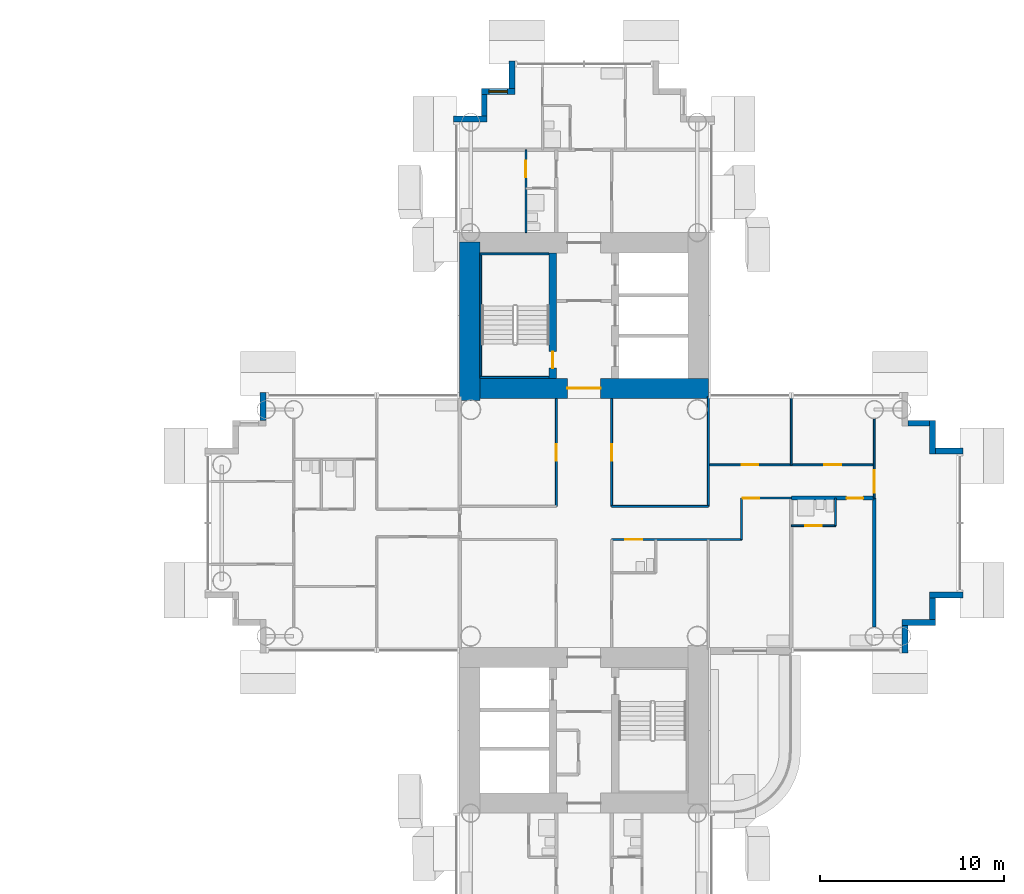
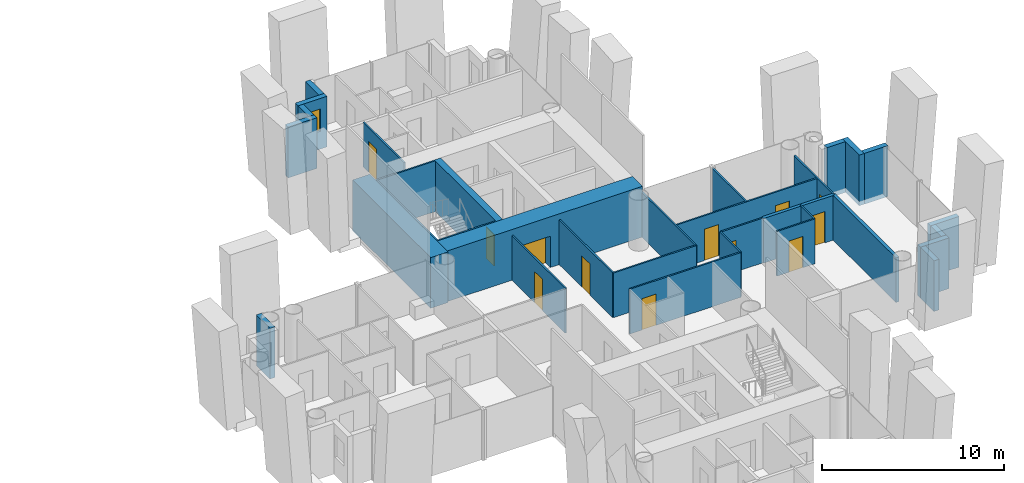
# One storey, part 16 of 25: 33 walls, 12 doors, 1 window, 13 openings.
"""IFC4 building model written with IfcOpenShell, lengths in metres."""

import ifcopenshell
import ifcopenshell.guid

model = None  # the IFC model being written
_history = None  # IfcOwnerHistory: only IFC2X3 demands one
_inside = {}  # id of a spatial element -> (the spatial element, [elements in it])
_under = {}  # id of a project, library or spatial element -> (it, [spatial elements below it])
_declared = {}  # id of a project -> (the project, [libraries it declares])
_typed = {}  # id of a type object -> (the type object, [elements of that type])
_made_of = {}  # id of a material, layer set ... -> (it, [elements and type objects made of it])


def new_model(schema):
    """Start an empty IFC model of exactly this schema.

    Asked for "IFC4X3", IfcOpenShell would pick the latest addendum, in which some entities
    have other attributes; the version numbers below select the first issue.
    IFC2X3 requires an IfcOwnerHistory on every rooted entity: one is made here for all.
    """
    global model, _history
    if schema == "IFC4X3":
        model = ifcopenshell.file(schema_version=(4, 3, 0, 0))
    else:
        model = ifcopenshell.file(schema=schema)
    _inside.clear()
    _under.clear()
    _declared.clear()
    _typed.clear()
    _made_of.clear()
    _history = None
    if model.schema == "IFC2X3":
        org = make("IfcOrganization", Name="unknown")
        user = make(
            "IfcPersonAndOrganization",
            ThePerson=make("IfcPerson", FamilyName="unknown"),
            TheOrganization=org,
        )
        app = make(
            "IfcApplication",
            ApplicationDeveloper=org,
            Version="unknown",
            ApplicationFullName="unknown",
            ApplicationIdentifier="unknown",
        )
        _history = make(
            "IfcOwnerHistory",
            OwningUser=user,
            OwningApplication=app,
            ChangeAction="ADDED",
            CreationDate=0,
        )
    return model


def make(cls, **values):
    """One entity of the class cls with the attributes given. An attribute that is None is left unset."""
    return model.create_entity(
        cls, **{name: value for name, value in values.items() if value is not None}
    )


def rooted(cls, **values):
    """An entity with a GlobalId (a new one), such as an element, a storey or a relation."""
    return make(cls, GlobalId=ifcopenshell.guid.new(), OwnerHistory=_history, **values)


def si_unit(unit_type, name, prefix=None):
    """IfcSIUnit, for example si_unit("LENGTHUNIT", "METRE", prefix="MILLI")."""
    return make("IfcSIUnit", UnitType=unit_type, Prefix=prefix, Name=name)


def assignment(units):
    """IfcUnitAssignment: the units of a project."""
    return None if units is None else make("IfcUnitAssignment", Units=units)


def point(xyz):
    """IfcCartesianPoint."""
    return None if xyz is None else make("IfcCartesianPoint", Coordinates=xyz)


def direction(xyz):
    """IfcDirection."""
    return None if xyz is None else make("IfcDirection", DirectionRatios=xyz)


def frame(location, z_axis=None, x_axis=None):
    """IfcAxis2Placement3D, a coordinate frame: its origin and axes. An axis left out is left unset."""
    return make(
        "IfcAxis2Placement3D",
        Location=point(location),
        Axis=direction(z_axis),
        RefDirection=direction(x_axis),
    )


def frame_2d(location, x_axis=None):
    """IfcAxis2Placement2D, a coordinate frame in the plane: its origin and x axis."""
    return make(
        "IfcAxis2Placement2D", Location=point(location), RefDirection=direction(x_axis)
    )


def origin():
    """The frame at (0, 0, 0) with its axes left unset."""
    return frame((0.0, 0.0, 0.0))


def place(relative_to, where):
    """IfcLocalPlacement: puts the frame where relative to a parent placement (None: the world)."""
    return make(
        "IfcLocalPlacement", PlacementRelTo=relative_to, RelativePlacement=where
    )


def context(
    kind, dimensions, precision=None, world=None, true_north=None, identifier=None
):
    """IfcGeometricRepresentationContext, for example the 3D "Model" context."""
    return make(
        "IfcGeometricRepresentationContext",
        ContextIdentifier=identifier,
        ContextType=kind,
        CoordinateSpaceDimension=dimensions,
        Precision=precision,
        WorldCoordinateSystem=world,
        TrueNorth=true_north,
    )


def subcontext(parent, identifier, kind, view, scale=None):
    """IfcGeometricRepresentationSubContext, for example "Body" below "Model"."""
    return make(
        "IfcGeometricRepresentationSubContext",
        ContextIdentifier=identifier,
        ContextType=kind,
        ParentContext=parent,
        TargetScale=scale,
        TargetView=view,
    )


def project(units=None, contexts=None):
    """IfcProject with its units and contexts."""
    return rooted(
        "IfcProject",
        Name="project",
        RepresentationContexts=contexts,
        UnitsInContext=assignment(units),
    )


def spatial(cls, under=None, at=None, **own):
    """A site, building, storey or space (cls), placed at a placement, below another one or the project."""
    s = rooted(cls, ObjectPlacement=at, **own)
    if under is not None:
        _under.setdefault(under.id(), (under, []))[1].append(s)
    return s


def profile(cls, at=None, kind="AREA", **sizes):
    """A parametric profile (cls). Its sizes go by their IFC names, for example OverallWidth=200.0."""
    return make(cls, ProfileType=kind, Position=at, **sizes)


def rectangle(**sizes):
    """IfcRectangleProfileDef."""
    return profile("IfcRectangleProfileDef", **sizes)


def extrude(swept, where, along, depth):
    """IfcExtrudedAreaSolid: the profile swept, set in the frame where, extruded along a direction by depth."""
    return make(
        "IfcExtrudedAreaSolid",
        SweptArea=swept,
        Position=where,
        ExtrudedDirection=direction(along),
        Depth=depth,
    )


def shape(context_of_items, identifier, shape_type, items):
    """IfcShapeRepresentation: the items that make up one representation, for example the "Body"."""
    return make(
        "IfcShapeRepresentation",
        ContextOfItems=context_of_items,
        RepresentationIdentifier=identifier,
        RepresentationType=shape_type,
        Items=items,
    )


def material(Name=None, Category=None):
    """IfcMaterial."""
    return make("IfcMaterial", Name=Name, Category=Category)


def layer(
    of_material, thickness, ventilated=None, Name=None, Category=None, Priority=None
):
    """IfcMaterialLayer: one layer of a wall or slab, of a material (None: an air gap)."""
    return make(
        "IfcMaterialLayer",
        Material=of_material,
        LayerThickness=thickness,
        IsVentilated=ventilated,
        Name=Name,
        Category=Category,
        Priority=Priority,
    )


def layer_set(layers, Name=None):
    """IfcMaterialLayerSet."""
    return make("IfcMaterialLayerSet", MaterialLayers=layers, LayerSetName=Name)


def made_of(thing, what):
    """Note that an element or type object is made of a material, layer set ...; save() writes the relation."""
    if what is not None:
        _made_of.setdefault(what.id(), (what, []))[1].append(thing)
    return thing


def type_object(cls, material=None, **own):
    """A type object (cls), such as IfcWallType, which elements share."""
    return made_of(rooted(cls, **own), material)


def element(
    cls,
    number,
    at=None,
    inside=None,
    cuts=None,
    type_object=None,
    material=None,
    context=None,
    identifier="Body",
    shape_type=None,
    held_by="IfcProductDefinitionShape",
    body=None,
    shapes=None,
    **own,
):
    """One element of the class cls, such as IfcWall. Its Tag is "e" and its number.

    at: its placement. inside: the storey or other place that contains it. cuts: it is an
    opening in that element (IfcRelVoidsElement). A single representation is given by context,
    identifier, shape_type and body (its items); several are given by shapes. held_by: the class
    of the entity that holds the representations. save() writes the other relations.
    """
    e = rooted(cls, Tag="e%d" % number, ObjectPlacement=at, **own)
    if body is not None:
        shapes = [shape(context, identifier, shape_type, body)]
    if shapes is not None:
        e.Representation = make(held_by, Representations=shapes)
    if inside is not None:
        _inside.setdefault(inside.id(), (inside, []))[1].append(e)
    if cuts is not None:
        rooted(
            "IfcRelVoidsElement", RelatingBuildingElement=cuts, RelatedOpeningElement=e
        )
    if type_object is not None:
        _typed.setdefault(type_object.id(), (type_object, []))[1].append(e)
    return made_of(e, material)


def fill(opening, filler):
    """IfcRelFillsElement: the door or window that sits in an opening."""
    return rooted(
        "IfcRelFillsElement",
        RelatingOpeningElement=opening,
        RelatedBuildingElement=filler,
    )


def aggregate(whole, parts):
    """IfcRelAggregates: a whole, such as a stair, and the parts it consists of."""
    return rooted("IfcRelAggregates", RelatingObject=whole, RelatedObjects=parts)


def save(model, path):
    """Write the relations noted so far, then the file.

    IfcRelAggregates (storeys below a building ...), IfcRelContainedInSpatialStructure (elements
    in a storey), IfcRelDefinesByType, IfcRelAssociatesMaterial and IfcRelDeclares: one each for
    every whole, place, type object, material and project.
    """
    for whole, parts in _under.values():
        aggregate(whole, parts)
    for where, things in _inside.values():
        rooted(
            "IfcRelContainedInSpatialStructure",
            RelatedElements=things,
            RelatingStructure=where,
        )
    for kind, things in _typed.values():
        rooted("IfcRelDefinesByType", RelatedObjects=things, RelatingType=kind)
    for what, things in _made_of.values():
        rooted("IfcRelAssociatesMaterial", RelatedObjects=things, RelatingMaterial=what)
    for by, libraries in _declared.values():
        rooted("IfcRelDeclares", RelatingContext=by, RelatedDefinitions=libraries)
    model.write(path)


model = new_model("IFC4")

# Units and contexts
model_context = context("Model", 3, precision=1e-05, world=origin(), true_north=direction((0.0, 1.0)))
body_context = subcontext(model_context, "Body", "Model", "MODEL_VIEW")
ifc_project = project(units=[si_unit("LENGTHUNIT", "METRE"), si_unit("AREAUNIT", "SQUARE_METRE"), si_unit("VOLUMEUNIT", "CUBIC_METRE"), si_unit("PLANEANGLEUNIT", "RADIAN"), si_unit("MASSUNIT", "GRAM", prefix="KILO")], contexts=[model_context])

# Site, building, storey
site_placement = place(None, origin())
site = spatial("IfcSite", under=ifc_project, at=site_placement, CompositionType="ELEMENT")
building_placement = place(site_placement, origin())
building = spatial("IfcBuilding", under=site, at=building_placement, Name="Ipe Terrace Towers", CompositionType="ELEMENT")
storey_placement = place(building_placement, frame((0.0, 0.0, 58.5)))
storey = spatial("IfcBuildingStorey", under=building, at=storey_placement, Name="L15", CompositionType="ELEMENT", Elevation=58.5)

# Walls
ifc_material_1 = material(Name="Concrete C40/50 with buff precast cladding", Category="concrete")
ifc_layer_1 = layer(ifc_material_1, 0.320068359375)
ifc_layer_set_1 = layer_set([ifc_layer_1], Name="BUFF CLADDING WALL 320")
wall_type_1 = type_object("IfcWallType", Name="BUFF CLADDING WALL 320", PredefinedType="STANDARD", material=ifc_layer_set_1)
wall_1_placement = place(storey_placement, frame((53.409912109375, -7.070068359375, -0.300048828125), z_axis=(0.0, 0.0, 1.0), x_axis=(0.0, 1.0, 0.0)))
element("IfcWall", 1, at=wall_1_placement, inside=storey, type_object=wall_type_1, Name="T2-W-L15-08a wall", PredefinedType="STANDARD", context=body_context, shape_type="SweptSolid", body=[
    extrude(rectangle(XDim=1.5, YDim=0.320068359375, at=frame_2d((0.75, 0.0))), origin(), (0.0, 0.0, 1.0), 3.400146484375),
])
wall_2_placement = place(storey_placement, frame((53.25, -5.409912109375, -0.300048828125), z_axis=(0.0, 0.0, 1.0), x_axis=(1.0, 0.0, 0.0)))
element("IfcWall", 2, at=wall_2_placement, inside=storey, type_object=wall_type_1, Name="T2-W-L15-09a wall", PredefinedType="STANDARD", context=body_context, shape_type="SweptSolid", body=[
    extrude(rectangle(XDim=1.820068359375, YDim=0.320068359375, at=frame_2d((0.91015625, 0.0))), origin(), (0.0, 0.0, 1.0), 3.400146484375),
])
wall_3_placement = place(storey_placement, frame((54.909912109375, -5.25, -0.300048828125), z_axis=(0.0, 0.0, 1.0), x_axis=(0.0, 1.0, 0.0)))
element("IfcWall", 3, at=wall_3_placement, inside=storey, type_object=wall_type_1, Name="T2-W-L15-10a wall", PredefinedType="STANDARD", context=body_context, shape_type="SweptSolid", body=[
    extrude(rectangle(XDim=1.179931640625, YDim=0.320068359375, at=frame_2d((0.58984375, 0.0))), origin(), (0.0, 0.0, 1.0), 3.400146484375),
])
wall_4_placement = place(storey_placement, frame((54.75, -3.909912109375, -0.300048828125), z_axis=(0.0, 0.0, 1.0), x_axis=(1.0, 0.0, 0.0)))
element("IfcWall", 4, at=wall_4_placement, inside=storey, type_object=wall_type_1, Name="T2-W-L15-11a wall", PredefinedType="STANDARD", context=body_context, shape_type="SweptSolid", body=[
    extrude(rectangle(XDim=1.820068359375, YDim=0.320068359375, at=frame_2d((0.91015625, 0.0))), origin(), (0.0, 0.0, 1.0), 3.400146484375),
])
wall_5_placement = place(storey_placement, frame((56.570068359375, 3.909912109375, -0.300048828125), z_axis=(0.0, 0.0, 1.0), x_axis=(-1.0, 0.0, 0.0)))
element("IfcWall", 5, at=wall_5_placement, inside=storey, type_object=wall_type_1, Name="T2-W-L15-13a wall", PredefinedType="STANDARD", context=body_context, shape_type="SweptSolid", body=[
    extrude(rectangle(XDim=1.5, YDim=0.320068359375, at=frame_2d((0.75, 0.0))), origin(), (0.0, 0.0, 1.0), 3.400146484375),
])
wall_6_placement = place(storey_placement, frame((54.909912109375, 3.75, -0.300048828125), z_axis=(0.0, 0.0, 1.0), x_axis=(0.0, 1.0, 0.0)))
element("IfcWall", 6, at=wall_6_placement, inside=storey, type_object=wall_type_1, Name="T2-W-L15-14a wall", PredefinedType="STANDARD", context=body_context, shape_type="SweptSolid", body=[
    extrude(rectangle(XDim=1.820068359375, YDim=0.320068359375, at=frame_2d((0.91015625, 0.0))), origin(), (0.0, 0.0, 1.0), 3.400146484375),
])
wall_7_placement = place(storey_placement, frame((54.75, 5.409912109375, -0.300048828125), z_axis=(0.0, 0.0, 1.0), x_axis=(-1.0, 0.0, 0.0)))
element("IfcWall", 7, at=wall_7_placement, inside=storey, type_object=wall_type_1, Name="T2-W-L15-15a wall", PredefinedType="STANDARD", context=body_context, shape_type="SweptSolid", body=[
    extrude(rectangle(XDim=1.179931640625, YDim=0.320068359375, at=frame_2d((0.58984375, 0.0))), origin(), (0.0, 0.0, 1.0), 3.400146484375),
])
wall_8_placement = place(storey_placement, frame((32.090087890625, 25.070068359375, -0.300048828125), z_axis=(0.0, 0.0, 1.0), x_axis=(0.0, -1.0, 0.0)))
element("IfcWall", 8, at=wall_8_placement, inside=storey, type_object=wall_type_1, Name="T2-W-L15-26a wall", PredefinedType="STANDARD", context=body_context, shape_type="SweptSolid", body=[
    extrude(rectangle(XDim=1.5, YDim=0.320068359375, at=frame_2d((0.75, 0.0))), origin(), (0.0, 0.0, 1.0), 3.400146484375),
])

# Wall, opening, window
wall_9_placement = place(storey_placement, frame((32.25, 23.409912109375, -0.300048828125), z_axis=(0.0, 0.0, 1.0), x_axis=(-1.0, 0.0, 0.0)))
wall_9 = element("IfcWall", 9, at=wall_9_placement, inside=storey, type_object=wall_type_1, Name="T2-W-L15-27a wall", PredefinedType="STANDARD", context=body_context, shape_type="SweptSolid", body=[
    extrude(rectangle(XDim=1.820068359375, YDim=0.320068359375, at=frame_2d((0.91015625, 0.0))), origin(), (0.0, 0.0, 1.0), 3.400146484375),
])
opening_1_placement = place(wall_9_placement, frame((0.409912109375, 0.0, 1.199951171875)))
opening_1 = element("IfcOpeningElement", 10, at=opening_1_placement, cuts=wall_9, Name="Opening T2-W-05-L15-03", PredefinedType="OPENING", context=body_context, shape_type="SweptSolid", body=[
    extrude(rectangle(XDim=1.0, YDim=1.5, at=frame_2d((0.5, 0.75))), frame((0.0, 0.169921875, 0.0), z_axis=(0.0, -1.0, 0.0), x_axis=(1.0, 0.0, 0.0)), (0.0, 0.0, 1.0), 0.340087890625),
])
ifc_material_2 = material(Name="Glass, clear laminated", Category="glass")
window_type = type_object("IfcWindowType", Name="DWELLING WINDOW 1000 x 1500", PartitioningType="SINGLE_PANEL", PredefinedType="WINDOW", material=ifc_material_2)
window_placement = place(opening_1_placement, origin())
window = element("IfcWindow", 11, at=window_placement, inside=storey, type_object=window_type, Name="W-05 window", OverallHeight=1.5, OverallWidth=1.0, PartitioningType="SINGLE_PANEL", PredefinedType="WINDOW", context=body_context, shape_type="SweptSolid", body=[
    extrude(rectangle(XDim=1.0, YDim=1.5, at=frame_2d((0.5, 0.75))), frame((0.0, 0.030029296875, 0.0), z_axis=(0.0, -1.0, 0.0), x_axis=(1.0, 0.0, 0.0)), (0.0, 0.0, 1.0), 0.06005859375),
])
fill(opening_1, window)

# Walls
wall_10_placement = place(storey_placement, frame((30.590087890625, 23.25, -0.300048828125), z_axis=(0.0, 0.0, 1.0), x_axis=(0.0, -1.0, 0.0)))
element("IfcWall", 12, at=wall_10_placement, inside=storey, type_object=wall_type_1, Name="T2-W-L15-28a wall", PredefinedType="STANDARD", context=body_context, shape_type="SweptSolid", body=[
    extrude(rectangle(XDim=1.179931640625, YDim=0.320068359375, at=frame_2d((0.58984375, 0.0))), origin(), (0.0, 0.0, 1.0), 3.400146484375),
])
wall_11_placement = place(storey_placement, frame((30.75, 21.909912109375, -0.300048828125), z_axis=(0.0, 0.0, 1.0), x_axis=(-1.0, 0.0, 0.0)))
element("IfcWall", 13, at=wall_11_placement, inside=storey, type_object=wall_type_1, Name="T2-W-L15-29a wall", PredefinedType="STANDARD", context=body_context, shape_type="SweptSolid", body=[
    extrude(rectangle(XDim=1.820068359375, YDim=0.320068359375, at=frame_2d((0.91015625, 0.0))), origin(), (0.0, 0.0, 1.0), 3.400146484375),
])
wall_12_placement = place(storey_placement, frame((18.590087890625, 7.070068359375, -0.300048828125), z_axis=(0.0, 0.0, 1.0), x_axis=(0.0, -1.0, 0.0)))
element("IfcWall", 14, at=wall_12_placement, inside=storey, type_object=wall_type_1, Name="T2-W-L15-34a wall", PredefinedType="STANDARD", context=body_context, shape_type="SweptSolid", body=[
    extrude(rectangle(XDim=1.5, YDim=0.320068359375, at=frame_2d((0.75, 0.0))), origin(), (0.0, 0.0, 1.0), 3.400146484375),
])

# Wall, opening, door
ifc_material_3 = material(Name="Gypsum board partition", Category="plasterboard")
ifc_layer_2 = layer(ifc_material_3, 0.10009765625)
ifc_layer_set_2 = layer_set([ifc_layer_2], Name="Gypsum board partition 100 mm")
wall_type_2 = type_object("IfcWallType", Name="Gypsum board partition 100 mm", PredefinedType="PARTITIONING", material=ifc_layer_set_2)
wall_13_placement = place(storey_placement, frame((44.550048828125, -0.89990234375, 0.0), z_axis=(0.0, 0.0, 1.0), x_axis=(-1.0, 0.0, 0.0)))
wall_13 = element("IfcWall", 15, at=wall_13_placement, inside=storey, type_object=wall_type_2, Name="Gypsum board partition T2 L15 W08", PredefinedType="PARTITIONING", context=body_context, shape_type="SweptSolid", body=[
    extrude(rectangle(XDim=7.050048828125, YDim=0.10009765625, at=frame_2d((3.52490234375, 0.0))), origin(), (0.0, 0.0, 1.0), 3.0),
])
opening_2_placement = place(wall_13_placement, frame((5.39990234375, 0.0, 0.0)))
opening_2 = element("IfcOpeningElement", 16, at=opening_2_placement, cuts=wall_13, Name="Opening T2-Z1D-01", PredefinedType="OPENING", context=body_context, shape_type="SweptSolid", body=[
    extrude(rectangle(XDim=0.89990234375, YDim=2.10009765625, at=frame_2d((0.449951171875, 1.050048828125))), frame((0.0, 0.06005859375, 0.0), z_axis=(0.0, -1.0, 0.0), x_axis=(1.0, 0.0, 0.0)), (0.0, 0.0, 1.0), 0.1201171875),
])
ifc_material_4 = material(Name="Timber door leaf", Category="wood")
door_type_1 = type_object("IfcDoorType", Name="Bathroom door 900 x 2100", OperationType="NOTDEFINED", PredefinedType="DOOR", material=ifc_material_4)
door_1_placement = place(opening_2_placement, origin())
door_1 = element("IfcDoor", 17, at=door_1_placement, inside=storey, type_object=door_type_1, Name="Bathroom door T2-Z1D-01", OperationType="SINGLE_SWING_LEFT", OverallHeight=2.10009765625, OverallWidth=0.89990234375, PredefinedType="DOOR", context=body_context, shape_type="SweptSolid", body=[
    extrude(rectangle(XDim=0.89990234375, YDim=2.10009765625, at=frame_2d((0.449951171875, 1.050048828125))), frame((0.0, 0.02490234375, 0.0), z_axis=(0.0, -1.0, 0.0), x_axis=(1.0, 0.0, 0.0)), (0.0, 0.0, 1.0), 0.050048828125),
])
fill(opening_2, door_1)

wall_14_placement = place(storey_placement, frame((49.64990234375, -0.14990234375, 0.0), z_axis=(0.0, 0.0, 1.0), x_axis=(-1.0, 0.0, 0.0)))
wall_14 = element("IfcWall", 18, at=wall_14_placement, inside=storey, type_object=wall_type_2, Name="Gypsum board partition T2 L15 W11", PredefinedType="PARTITIONING", context=body_context, shape_type="SweptSolid", body=[
    extrude(rectangle(XDim=2.39990234375, YDim=0.10009765625, at=frame_2d((1.199951171875, 0.0))), origin(), (0.0, 0.0, 1.0), 3.0),
])
opening_3_placement = place(wall_14_placement, frame((0.75, 0.0, 0.0)))
opening_3 = element("IfcOpeningElement", 19, at=opening_3_placement, cuts=wall_14, Name="Opening T2-Z1D-20", PredefinedType="OPENING", context=body_context, shape_type="SweptSolid", body=[
    extrude(rectangle(XDim=0.89990234375, YDim=2.10009765625, at=frame_2d((0.449951171875, 1.050048828125))), frame((0.0, 0.06005859375, 0.0), z_axis=(0.0, -1.0, 0.0), x_axis=(1.0, 0.0, 0.0)), (0.0, 0.0, 1.0), 0.1201171875),
])
door_2_placement = place(opening_3_placement, origin())
door_2 = element("IfcDoor", 20, at=door_2_placement, inside=storey, type_object=door_type_1, Name="Bathroom door T2-Z1D-20", OperationType="SINGLE_SWING_RIGHT", OverallHeight=2.10009765625, OverallWidth=0.89990234375, PredefinedType="DOOR", context=body_context, shape_type="SweptSolid", body=[
    extrude(rectangle(XDim=0.89990234375, YDim=2.10009765625, at=frame_2d((0.449951171875, 1.050048828125))), frame((0.0, 0.02490234375, 0.0), z_axis=(0.0, -1.0, 0.0), x_axis=(1.0, 0.0, 0.0)), (0.0, 0.0, 1.0), 0.050048828125),
])
fill(opening_3, door_2)

# Wall
wall_15_placement = place(storey_placement, frame((42.75, 0.89990234375, 0.0), z_axis=(0.0, 0.0, 1.0), x_axis=(-1.0, 0.0, 0.0)))
element("IfcWall", 21, at=wall_15_placement, inside=storey, type_object=wall_type_2, Name="Gypsum board partition T2 L15 W14", PredefinedType="PARTITIONING", context=body_context, shape_type="SweptSolid", body=[
    extrude(rectangle(XDim=5.25, YDim=0.10009765625, at=frame_2d((2.625, 0.0))), origin(), (0.0, 0.0, 1.0), 3.0),
])

# Wall, opening, door
wall_16_placement = place(storey_placement, frame((47.25, 1.35009765625, 0.0), z_axis=(0.0, 0.0, 1.0), x_axis=(-1.0, 0.0, 0.0)))
wall_16 = element("IfcWall", 22, at=wall_16_placement, inside=storey, type_object=wall_type_2, Name="Gypsum board partition T2 L15 W16", PredefinedType="PARTITIONING", context=body_context, shape_type="SweptSolid", body=[
    extrude(rectangle(XDim=2.699951171875, YDim=0.10009765625, at=frame_2d((1.35009765625, 0.0))), origin(), (0.0, 0.0, 1.0), 3.0),
])
opening_4_placement = place(wall_16_placement, frame((1.72998046875, 0.0, 0.0)))
opening_4 = element("IfcOpeningElement", 23, at=opening_4_placement, cuts=wall_16, Name="Opening T2-Z1D-18", PredefinedType="OPENING", context=body_context, shape_type="SweptSolid", body=[
    extrude(rectangle(XDim=0.89990234375, YDim=2.10009765625, at=frame_2d((0.449951171875, 1.050048828125))), frame((0.0, 0.06005859375, 0.0), z_axis=(0.0, -1.0, 0.0), x_axis=(1.0, 0.0, 0.0)), (0.0, 0.0, 1.0), 0.1201171875),
])
ifc_material_5 = material(Name="Timber door leaf", Category="wood")
door_type_2 = type_object("IfcDoorType", Name="Lounge door 900 x 2100", OperationType="NOTDEFINED", PredefinedType="DOOR", material=ifc_material_5)
door_3_placement = place(opening_4_placement, origin())
door_3 = element("IfcDoor", 24, at=door_3_placement, inside=storey, type_object=door_type_2, Name="Lounge door T2-Z1D-18", OperationType="SINGLE_SWING_LEFT", OverallHeight=2.10009765625, OverallWidth=0.89990234375, PredefinedType="DOOR", context=body_context, shape_type="SweptSolid", body=[
    extrude(rectangle(XDim=0.89990234375, YDim=2.10009765625, at=frame_2d((0.449951171875, 1.050048828125))), frame((0.0, 0.02490234375, 0.0), z_axis=(0.0, -1.0, 0.0), x_axis=(1.0, 0.0, 0.0)), (0.0, 0.0, 1.0), 0.050048828125),
])
fill(opening_4, door_3)

# Wall, openings, doors
wall_17_placement = place(storey_placement, frame((51.75, 3.14990234375, 0.0), z_axis=(0.0, 0.0, 1.0), x_axis=(-1.0, 0.0, 0.0)))
wall_17 = element("IfcWall", 25, at=wall_17_placement, inside=storey, type_object=wall_type_2, Name="Gypsum board partition T2 L15 W19", PredefinedType="PARTITIONING", context=body_context, shape_type="SweptSolid", body=[
    extrude(rectangle(XDim=9.0, YDim=0.10009765625, at=frame_2d((4.5, 0.0))), origin(), (0.0, 0.0, 1.0), 3.0),
])
opening_5_placement = place(wall_17_placement, frame((6.300048828125, 0.0, 0.0)))
opening_5 = element("IfcOpeningElement", 26, at=opening_5_placement, cuts=wall_17, Name="Opening T2-Z1D-16", PredefinedType="OPENING", context=body_context, shape_type="SweptSolid", body=[
    extrude(rectangle(XDim=0.89990234375, YDim=2.10009765625, at=frame_2d((0.449951171875, 1.050048828125))), frame((0.0, 0.06005859375, 0.0), z_axis=(0.0, -1.0, 0.0), x_axis=(1.0, 0.0, 0.0)), (0.0, 0.0, 1.0), 0.1201171875),
])
opening_6_placement = place(wall_17_placement, frame((1.800048828125, 0.0, 0.0)))
opening_6 = element("IfcOpeningElement", 27, at=opening_6_placement, cuts=wall_17, Name="Opening T2-Z1D-17", PredefinedType="OPENING", context=body_context, shape_type="SweptSolid", body=[
    extrude(rectangle(XDim=0.89990234375, YDim=2.10009765625, at=frame_2d((0.449951171875, 1.050048828125))), frame((0.0, 0.06005859375, 0.0), z_axis=(0.0, -1.0, 0.0), x_axis=(1.0, 0.0, 0.0)), (0.0, 0.0, 1.0), 0.1201171875),
])
door_4_placement = place(opening_5_placement, origin())
door_4 = element("IfcDoor", 28, at=door_4_placement, inside=storey, type_object=door_type_2, Name="Lounge door T2-Z1D-16", OperationType="SINGLE_SWING_RIGHT", OverallHeight=2.10009765625, OverallWidth=0.89990234375, PredefinedType="DOOR", context=body_context, shape_type="SweptSolid", body=[
    extrude(rectangle(XDim=0.89990234375, YDim=2.10009765625, at=frame_2d((0.449951171875, 1.050048828125))), frame((0.0, 0.02490234375, 0.0), z_axis=(0.0, -1.0, 0.0), x_axis=(1.0, 0.0, 0.0)), (0.0, 0.0, 1.0), 0.050048828125),
])
fill(opening_5, door_4)
door_5_placement = place(opening_6_placement, origin())
door_5 = element("IfcDoor", 29, at=door_5_placement, inside=storey, type_object=door_type_2, Name="Lounge door T2-Z1D-17", OperationType="SINGLE_SWING_LEFT", OverallHeight=2.10009765625, OverallWidth=0.89990234375, PredefinedType="DOOR", context=body_context, shape_type="SweptSolid", body=[
    extrude(rectangle(XDim=0.89990234375, YDim=2.10009765625, at=frame_2d((0.449951171875, 1.050048828125))), frame((0.0, 0.02490234375, 0.0), z_axis=(0.0, -1.0, 0.0), x_axis=(1.0, 0.0, 0.0)), (0.0, 0.0, 1.0), 0.050048828125),
])
fill(opening_6, door_5)

# Wall, opening, door
wall_18_placement = place(storey_placement, frame((51.75, 1.35009765625, 0.0), z_axis=(0.0, 0.0, 1.0), x_axis=(0.0, 1.0, 0.0)))
wall_18 = element("IfcWall", 30, at=wall_18_placement, inside=storey, type_object=wall_type_2, Name="Gypsum board partition T2 L15 W24", PredefinedType="PARTITIONING", context=body_context, shape_type="SweptSolid", body=[
    extrude(rectangle(XDim=4.2998046875, YDim=0.10009765625, at=frame_2d((2.14990234375, 0.0))), origin(), (0.0, 0.0, 1.0), 3.0),
])
opening_7_placement = place(wall_18_placement, frame((0.300048828125, 0.0, 0.0)))
opening_7 = element("IfcOpeningElement", 31, at=opening_7_placement, cuts=wall_18, Name="Opening T2-Z1D-21", PredefinedType="OPENING", context=body_context, shape_type="SweptSolid", body=[
    extrude(rectangle(XDim=1.199951171875, YDim=2.10009765625, at=frame_2d((0.60009765625, 1.050048828125))), frame((0.0, 0.06005859375, 0.0), z_axis=(0.0, -1.0, 0.0), x_axis=(1.0, 0.0, 0.0)), (0.0, 0.0, 1.0), 0.1201171875),
])
ifc_material_6 = material(Name="Timber door leaf", Category="wood")
door_type_3 = type_object("IfcDoorType", Name="Lounge door 1200 x 2100", OperationType="NOTDEFINED", PredefinedType="DOOR", material=ifc_material_6)
door_6_placement = place(opening_7_placement, origin())
door_6 = element("IfcDoor", 32, at=door_6_placement, inside=storey, type_object=door_type_3, Name="Lounge door T2-Z1D-21", OperationType="SINGLE_SWING_LEFT", OverallHeight=2.10009765625, OverallWidth=1.199951171875, PredefinedType="DOOR", context=body_context, shape_type="SweptSolid", body=[
    extrude(rectangle(XDim=1.199951171875, YDim=2.10009765625, at=frame_2d((0.60009765625, 1.050048828125))), frame((0.0, 0.02490234375, 0.0), z_axis=(0.0, -1.0, 0.0), x_axis=(1.0, 0.0, 0.0)), (0.0, 0.0, 1.0), 0.050048828125),
])
fill(opening_7, door_6)

# Walls
wall_19_placement = place(storey_placement, frame((49.64990234375, -0.14990234375, 0.0), z_axis=(0.0, 0.0, 1.0), x_axis=(0.0, 1.0, 0.0)))
element("IfcWall", 33, at=wall_19_placement, inside=storey, type_object=wall_type_2, Name="Gypsum board partition T2 L15 W26", PredefinedType="PARTITIONING", context=body_context, shape_type="SweptSolid", body=[
    extrude(rectangle(XDim=1.5, YDim=0.10009765625, at=frame_2d((0.75, 0.0))), origin(), (0.0, 0.0, 1.0), 3.0),
])
wall_20_placement = place(storey_placement, frame((47.25, 3.14990234375, 0.0), z_axis=(0.0, 0.0, 1.0), x_axis=(0.0, 1.0, 0.0)))
element("IfcWall", 34, at=wall_20_placement, inside=storey, type_object=wall_type_2, Name="Gypsum board partition T2 L15 W27", PredefinedType="PARTITIONING", context=body_context, shape_type="SweptSolid", body=[
    extrude(rectangle(XDim=3.7001953125, YDim=0.10009765625, at=frame_2d((1.85009765625, 0.0))), origin(), (0.0, 0.0, 1.0), 3.0),
])
wall_21_placement = place(storey_placement, frame((44.550048828125, -0.89990234375, 0.0), z_axis=(0.0, 0.0, 1.0), x_axis=(0.0, 1.0, 0.0)))
element("IfcWall", 35, at=wall_21_placement, inside=storey, type_object=wall_type_2, Name="Gypsum board partition T2 L15 W29", PredefinedType="PARTITIONING", context=body_context, shape_type="SweptSolid", body=[
    extrude(rectangle(XDim=2.25, YDim=0.10009765625, at=frame_2d((1.125, 0.0))), origin(), (0.0, 0.0, 1.0), 3.0),
])
wall_22_placement = place(storey_placement, frame((42.75, 0.89990234375, 0.0), z_axis=(0.0, 0.0, 1.0), x_axis=(0.0, 1.0, 0.0)))
element("IfcWall", 36, at=wall_22_placement, inside=storey, type_object=wall_type_2, Name="Gypsum board partition T2 L15 W31", PredefinedType="PARTITIONING", context=body_context, shape_type="SweptSolid", body=[
    extrude(rectangle(XDim=5.9501953125, YDim=0.10009765625, at=frame_2d((2.97509765625, 0.0))), origin(), (0.0, 0.0, 1.0), 3.0),
])

# Wall, opening, door
wall_23_placement = place(storey_placement, frame((37.5, 0.89990234375, 0.0), z_axis=(0.0, 0.0, 1.0), x_axis=(0.0, 1.0, 0.0)))
wall_23 = element("IfcWall", 37, at=wall_23_placement, inside=storey, type_object=wall_type_2, Name="Gypsum board partition T2 L15 W37", PredefinedType="PARTITIONING", context=body_context, shape_type="SweptSolid", body=[
    extrude(rectangle(XDim=5.85009765625, YDim=0.10009765625, at=frame_2d((2.925048828125, 0.0))), origin(), (0.0, 0.0, 1.0), 3.0),
])
opening_8_placement = place(wall_23_placement, frame((2.47509765625, 0.0, 0.0)))
opening_8 = element("IfcOpeningElement", 38, at=opening_8_placement, cuts=wall_23, Name="Opening T2-Z1D-05", PredefinedType="OPENING", context=body_context, shape_type="SweptSolid", body=[
    extrude(rectangle(XDim=0.89990234375, YDim=2.10009765625, at=frame_2d((0.449951171875, 1.050048828125))), frame((0.0, 0.06005859375, 0.0), z_axis=(0.0, -1.0, 0.0), x_axis=(1.0, 0.0, 0.0)), (0.0, 0.0, 1.0), 0.1201171875),
])
door_7_placement = place(opening_8_placement, origin())
door_7 = element("IfcDoor", 39, at=door_7_placement, inside=storey, type_object=door_type_2, Name="Lounge door T2-Z1D-05", OperationType="SINGLE_SWING_RIGHT", OverallHeight=2.10009765625, OverallWidth=0.89990234375, PredefinedType="DOOR", context=body_context, shape_type="SweptSolid", body=[
    extrude(rectangle(XDim=0.89990234375, YDim=2.10009765625, at=frame_2d((0.449951171875, 1.050048828125))), frame((0.0, 0.02490234375, 0.0), z_axis=(0.0, -1.0, 0.0), x_axis=(1.0, 0.0, 0.0)), (0.0, 0.0, 1.0), 0.050048828125),
])
fill(opening_8, door_7)

wall_24_placement = place(storey_placement, frame((34.5, 0.89990234375, 0.0), z_axis=(0.0, 0.0, 1.0), x_axis=(0.0, 1.0, 0.0)))
wall_24 = element("IfcWall", 40, at=wall_24_placement, inside=storey, type_object=wall_type_2, Name="Gypsum board partition T2 L15 W43", PredefinedType="PARTITIONING", context=body_context, shape_type="SweptSolid", body=[
    extrude(rectangle(XDim=5.85009765625, YDim=0.10009765625, at=frame_2d((2.925048828125, 0.0))), origin(), (0.0, 0.0, 1.0), 3.0),
])
opening_9_placement = place(wall_24_placement, frame((2.47509765625, 0.0, 0.0)))
opening_9 = element("IfcOpeningElement", 41, at=opening_9_placement, cuts=wall_24, Name="Opening T2-Z1D-02", PredefinedType="OPENING", context=body_context, shape_type="SweptSolid", body=[
    extrude(rectangle(XDim=0.89990234375, YDim=2.10009765625, at=frame_2d((0.449951171875, 1.050048828125))), frame((0.0, 0.06005859375, 0.0), z_axis=(0.0, -1.0, 0.0), x_axis=(1.0, 0.0, 0.0)), (0.0, 0.0, 1.0), 0.1201171875),
])
door_8_placement = place(opening_9_placement, origin())
door_8 = element("IfcDoor", 42, at=door_8_placement, inside=storey, type_object=door_type_2, Name="Lounge door T2-Z1D-02", OperationType="SINGLE_SWING_LEFT", OverallHeight=2.10009765625, OverallWidth=0.89990234375, PredefinedType="DOOR", context=body_context, shape_type="SweptSolid", body=[
    extrude(rectangle(XDim=0.89990234375, YDim=2.10009765625, at=frame_2d((0.449951171875, 1.050048828125))), frame((0.0, 0.02490234375, 0.0), z_axis=(0.0, -1.0, 0.0), x_axis=(1.0, 0.0, 0.0)), (0.0, 0.0, 1.0), 0.050048828125),
])
fill(opening_9, door_8)

wall_25_placement = place(storey_placement, frame((32.85009765625, 15.75, 0.0), z_axis=(0.0, 0.0, 1.0), x_axis=(0.0, 1.0, 0.0)))
wall_25 = element("IfcWall", 43, at=wall_25_placement, inside=storey, type_object=wall_type_2, Name="Gypsum board partition T2 L15 W49", PredefinedType="PARTITIONING", context=body_context, shape_type="SweptSolid", body=[
    extrude(rectangle(XDim=4.5, YDim=0.10009765625, at=frame_2d((2.25, 0.0))), origin(), (0.0, 0.0, 1.0), 3.0),
])
opening_10_placement = place(wall_25_placement, frame((3.0, 0.0, 0.0)))
opening_10 = element("IfcOpeningElement", 44, at=opening_10_placement, cuts=wall_25, Name="Opening T2-Z1D-23", PredefinedType="OPENING", context=body_context, shape_type="SweptSolid", body=[
    extrude(rectangle(XDim=0.89990234375, YDim=2.10009765625, at=frame_2d((0.449951171875, 1.050048828125))), frame((0.0, 0.06005859375, 0.0), z_axis=(0.0, -1.0, 0.0), x_axis=(1.0, 0.0, 0.0)), (0.0, 0.0, 1.0), 0.1201171875),
])
ifc_material_7 = material(Name="Timber door leaf", Category="wood")
door_type_4 = type_object("IfcDoorType", Name="Bedroom door 900 x 2100", OperationType="NOTDEFINED", PredefinedType="DOOR", material=ifc_material_7)
door_9_placement = place(opening_10_placement, origin())
door_9 = element("IfcDoor", 45, at=door_9_placement, inside=storey, type_object=door_type_4, Name="Bedroom door T2-Z1D-23", OperationType="SINGLE_SWING_LEFT", OverallHeight=2.10009765625, OverallWidth=0.89990234375, PredefinedType="DOOR", context=body_context, shape_type="SweptSolid", body=[
    extrude(rectangle(XDim=0.89990234375, YDim=2.10009765625, at=frame_2d((0.449951171875, 1.050048828125))), frame((0.0, 0.02490234375, 0.0), z_axis=(0.0, -1.0, 0.0), x_axis=(1.0, 0.0, 0.0)), (0.0, 0.0, 1.0), 0.050048828125),
])
fill(opening_10, door_9)

ifc_material_8 = material(Name="Gypsum board party wall", Category="plasterboard")
ifc_layer_3 = layer(ifc_material_8, 0.199951171875)
ifc_layer_set_3 = layer_set([ifc_layer_3], Name="Gypsum board party wall 200 mm")
wall_type_3 = type_object("IfcWallType", Name="Gypsum board party wall 200 mm", PredefinedType="SOLIDWALL", material=ifc_layer_set_3)
wall_26_placement = place(storey_placement, frame((51.75, 1.35009765625, 0.0), z_axis=(0.0, 0.0, 1.0), x_axis=(-1.0, 0.0, 0.0)))
wall_26 = element("IfcWall", 46, at=wall_26_placement, inside=storey, type_object=wall_type_3, Name="Gypsum board party wall T2 L15 W17", PredefinedType="SOLIDWALL", context=body_context, shape_type="SweptSolid", body=[
    extrude(rectangle(XDim=4.5, YDim=0.199951171875, at=frame_2d((2.25, 0.0))), origin(), (0.0, 0.0, 1.0), 3.0),
])
opening_11_placement = place(wall_26_placement, frame((0.60009765625, 0.0, 0.0)))
opening_11 = element("IfcOpeningElement", 47, at=opening_11_placement, cuts=wall_26, Name="Opening T2-Z1D-19", PredefinedType="OPENING", context=body_context, shape_type="SweptSolid", body=[
    extrude(rectangle(XDim=0.89990234375, YDim=2.10009765625, at=frame_2d((0.449951171875, 1.050048828125))), frame((0.0, 0.10986328125, 0.0), z_axis=(0.0, -1.0, 0.0), x_axis=(1.0, 0.0, 0.0)), (0.0, 0.0, 1.0), 0.219970703125),
])
ifc_material_9 = material(Name="Fire-rated timber door leaf", Category="wood")
door_type_5 = type_object("IfcDoorType", Name="Flat entrance door 900 x 2100 FD30S", OperationType="NOTDEFINED", PredefinedType="DOOR", material=ifc_material_9)
door_10_placement = place(opening_11_placement, origin())
door_10 = element("IfcDoor", 48, at=door_10_placement, inside=storey, type_object=door_type_5, Name="Flat entrance door T2-Z1D-19", OperationType="SINGLE_SWING_RIGHT", OverallHeight=2.10009765625, OverallWidth=0.89990234375, PredefinedType="DOOR", context=body_context, shape_type="SweptSolid", body=[
    extrude(rectangle(XDim=0.89990234375, YDim=2.10009765625, at=frame_2d((0.449951171875, 1.050048828125))), frame((0.0, 0.02490234375, 0.0), z_axis=(0.0, -1.0, 0.0), x_axis=(1.0, 0.0, 0.0)), (0.0, 0.0, 1.0), 0.050048828125),
])
fill(opening_11, door_10)

# Walls
wall_27_placement = place(storey_placement, frame((51.75, -5.64990234375, 0.0), z_axis=(0.0, 0.0, 1.0), x_axis=(0.0, 1.0, 0.0)))
element("IfcWall", 49, at=wall_27_placement, inside=storey, type_object=wall_type_3, Name="Gypsum board party wall T2 L15 W25", PredefinedType="SOLIDWALL", context=body_context, shape_type="SweptSolid", body=[
    extrude(rectangle(XDim=7.0, YDim=0.199951171875, at=frame_2d((3.5, 0.0))), origin(), (0.0, 0.0, 1.0), 3.0),
])
ifc_material_10 = material(Name="Concrete C60/75", Category="concrete")
ifc_layer_4 = layer(ifc_material_10, 0.10009765625)
ifc_layer_set_4 = layer_set([ifc_layer_4], Name="RW100 CORE INFILL WALL 100 C60-75")
wall_type_4 = type_object("IfcWallType", Name="RW100 CORE INFILL WALL 100 C60-75", PredefinedType="SHEAR", material=ifc_layer_set_4)
wall_28_placement = place(storey_placement, frame((34.10009765625, 14.60009765625, 0.0), z_axis=(0.0, 0.0, 1.0), x_axis=(-1.0, 0.0, 0.0)))
element("IfcWall", 50, at=wall_28_placement, inside=storey, type_object=wall_type_4, Name="Core infill wall T2-C1-far", PredefinedType="SHEAR", context=body_context, shape_type="SweptSolid", body=[
    extrude(rectangle(XDim=3.75, YDim=0.10009765625, at=frame_2d((1.875, 0.0))), origin(), (0.0, 0.0, 1.0), 3.39990234375),
])
wall_29_placement = place(storey_placement, frame((30.39990234375, 7.949951171875, 0.0), z_axis=(0.0, 0.0, 1.0), x_axis=(0.0, 1.0, 0.0)))
element("IfcWall", 51, at=wall_29_placement, inside=storey, type_object=wall_type_4, Name="Core infill wall T2-C1-back", PredefinedType="SHEAR", context=body_context, shape_type="SweptSolid", body=[
    extrude(rectangle(XDim=6.60009765625, YDim=0.10009765625, at=frame_2d((3.300048828125, 0.0))), origin(), (0.0, 0.0, 1.0), 3.39990234375),
])
wall_30_placement = place(storey_placement, frame((34.10009765625, 7.89990234375, 0.0), z_axis=(0.0, 0.0, 1.0), x_axis=(-1.0, 0.0, 0.0)))
element("IfcWall", 52, at=wall_30_placement, inside=storey, type_object=wall_type_4, Name="Core infill wall T2-C1-near", PredefinedType="SHEAR", context=body_context, shape_type="SweptSolid", body=[
    extrude(rectangle(XDim=3.75, YDim=0.10009765625, at=frame_2d((1.875, 0.0))), origin(), (0.0, 0.0, 1.0), 3.39990234375),
])

# Wall, opening, door
ifc_material_11 = material(Name="Concrete C60/75", Category="concrete")
ifc_layer_5 = layer(ifc_material_11, 1.10009765625)
ifc_layer_set_5 = layer_set([ifc_layer_5], Name="RW1100 CORE WALL 1100 C60-75")
wall_type_5 = type_object("IfcWallType", Name="RW1100 CORE WALL 1100 C60-75", PredefinedType="SHEAR", material=ifc_layer_set_5)
wall_31_placement = place(storey_placement, frame((30.35009765625, 7.300048828125, 0.0), z_axis=(0.0, 0.0, 1.0), x_axis=(1.0, 0.0, 0.0)))
wall_31 = element("IfcWall", 53, at=wall_31_placement, inside=storey, type_object=wall_type_5, Name="Core wall T2-C1-Z1-W01", PredefinedType="SHEAR", context=body_context, shape_type="SweptSolid", body=[
    extrude(rectangle(XDim=12.39990234375, YDim=1.10009765625, at=frame_2d((6.199951171875, 0.0))), origin(), (0.0, 0.0, 1.0), 3.39990234375),
])
opening_12_placement = place(wall_31_placement, frame((4.75, 0.0, 0.0)))
opening_12 = element("IfcOpeningElement", 54, at=opening_12_placement, cuts=wall_31, Name="Opening T2C1-ND", PredefinedType="OPENING", context=body_context, shape_type="SweptSolid", body=[
    extrude(rectangle(XDim=1.800048828125, YDim=2.10009765625, at=frame_2d((0.89990234375, 1.050048828125))), frame((0.0, 0.56005859375, 0.0), z_axis=(0.0, -1.0, 0.0), x_axis=(1.0, 0.0, 0.0)), (0.0, 0.0, 1.0), 1.1201171875),
])
ifc_material_12 = material(Name="Fire-rated timber door leaf", Category="wood")
door_type_6 = type_object("IfcDoorType", Name="Fire door 1800 x 2100 FD30S", OperationType="NOTDEFINED", PredefinedType="DOOR", material=ifc_material_12)
door_11_placement = place(opening_12_placement, origin())
door_11 = element("IfcDoor", 55, at=door_11_placement, inside=storey, type_object=door_type_6, Name="Fire door T2C1-ND", OperationType="SINGLE_SWING_LEFT", OverallHeight=2.10009765625, OverallWidth=1.800048828125, PredefinedType="DOOR", context=body_context, shape_type="SweptSolid", body=[
    extrude(rectangle(XDim=1.800048828125, YDim=2.10009765625, at=frame_2d((0.89990234375, 1.050048828125))), frame((0.0, 0.02490234375, 0.0), z_axis=(0.0, -1.0, 0.0), x_axis=(1.0, 0.0, 0.0)), (0.0, 0.0, 1.0), 0.050048828125),
])
fill(opening_12, door_11)

# Wall
wall_32_placement = place(storey_placement, frame((29.800048828125, 15.248046875, 0.0), z_axis=(0.0, 0.0, 1.0), x_axis=(0.0, -1.0, 0.0)))
element("IfcWall", 56, at=wall_32_placement, inside=storey, type_object=wall_type_5, Name="Core wall T2-C1-Z1-W04", PredefinedType="SHEAR", context=body_context, shape_type="SweptSolid", body=[
    extrude(rectangle(XDim=8.595947265625, YDim=1.10009765625, at=frame_2d((4.2978515625, 0.0))), origin(), (0.0, 0.0, 1.0), 3.39990234375),
])

# Wall, opening, door
ifc_material_13 = material(Name="Concrete C60/75", Category="concrete")
ifc_layer_6 = layer(ifc_material_13, 0.39990234375)
ifc_layer_set_6 = layer_set([ifc_layer_6], Name="RW400 CORE SPINE WALL 400 C60-75")
wall_type_6 = type_object("IfcWallType", Name="RW400 CORE SPINE WALL 400 C60-75", PredefinedType="SHEAR", material=ifc_layer_set_6)
wall_33_placement = place(storey_placement, frame((34.300048828125, 7.85009765625, 0.0), z_axis=(0.0, 0.0, 1.0), x_axis=(0.0, 1.0, 0.0)))
wall_33 = element("IfcWall", 57, at=wall_33_placement, inside=storey, type_object=wall_type_6, Name="Core spine wall T2-C1-Z1-SW1", PredefinedType="SHEAR", context=body_context, shape_type="SweptSolid", body=[
    extrude(rectangle(XDim=6.7998046875, YDim=0.39990234375, at=frame_2d((3.39990234375, 0.0))), origin(), (0.0, 0.0, 1.0), 3.39990234375),
])
opening_13_placement = place(wall_33_placement, frame((0.550048828125, 0.0, 0.0)))
opening_13 = element("IfcOpeningElement", 58, at=opening_13_placement, cuts=wall_33, Name="Opening T2C1-SD", PredefinedType="OPENING", context=body_context, shape_type="SweptSolid", body=[
    extrude(rectangle(XDim=0.89990234375, YDim=2.10009765625, at=frame_2d((0.449951171875, 1.050048828125))), frame((0.0, 0.2099609375, 0.0), z_axis=(0.0, -1.0, 0.0), x_axis=(1.0, 0.0, 0.0)), (0.0, 0.0, 1.0), 0.419921875),
])
ifc_material_14 = material(Name="Fire-rated timber door leaf", Category="wood")
door_type_7 = type_object("IfcDoorType", Name="Stair door 900 x 2100 FD60", OperationType="NOTDEFINED", PredefinedType="DOOR", material=ifc_material_14)
door_12_placement = place(opening_13_placement, origin())
door_12 = element("IfcDoor", 59, at=door_12_placement, inside=storey, type_object=door_type_7, Name="Stair door T2C1-SD", OperationType="SINGLE_SWING_LEFT", OverallHeight=2.10009765625, OverallWidth=0.89990234375, PredefinedType="DOOR", context=body_context, shape_type="SweptSolid", body=[
    extrude(rectangle(XDim=0.89990234375, YDim=2.10009765625, at=frame_2d((0.449951171875, 1.050048828125))), frame((0.0, 0.02490234375, 0.0), z_axis=(0.0, -1.0, 0.0), x_axis=(1.0, 0.0, 0.0)), (0.0, 0.0, 1.0), 0.050048828125),
])
fill(opening_13, door_12)

save(model, "model.ifc")
